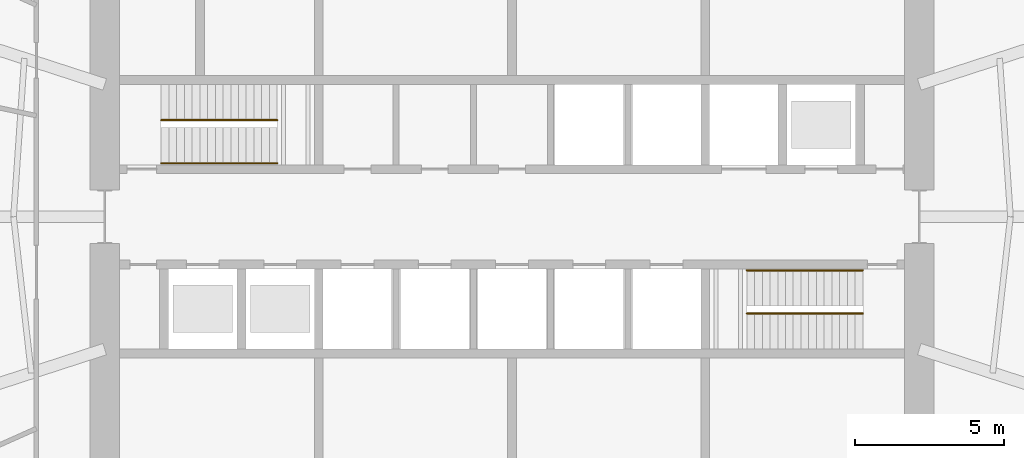
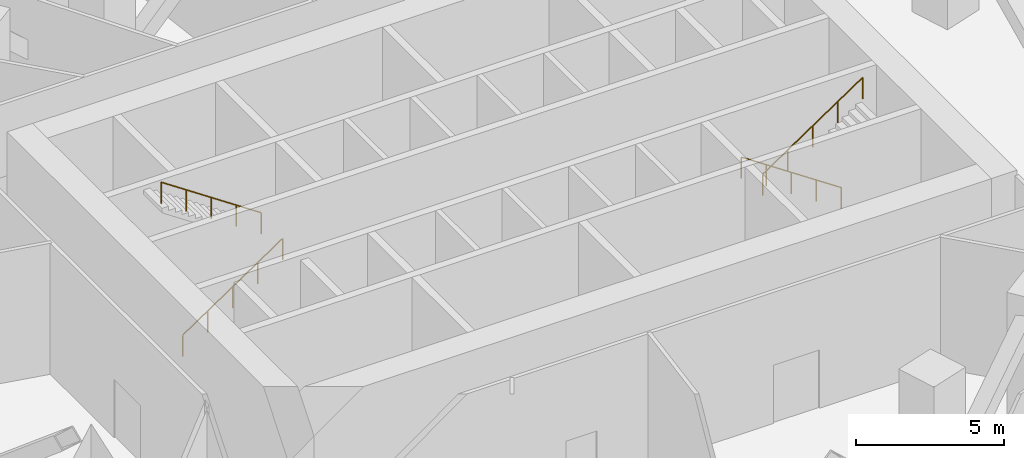
# One storey, part 13 of 14: 4 railings.
"""IFC4 building model written with IfcOpenShell, lengths in metres."""

from ifc_helpers import new_model, si_unit, direction, frame, origin, origin_2d, place, context, subcontext, project, spatial, circle, extrude, material, type_object, element, save


model = new_model("IFC4")

# Units and contexts
model_context = context("Model", 3, precision=1e-05, world=origin(), true_north=direction((0.0, 1.0)))
body_context = subcontext(model_context, "Body", "Model", "MODEL_VIEW")
ifc_project = project(units=[si_unit("LENGTHUNIT", "METRE"), si_unit("AREAUNIT", "SQUARE_METRE"), si_unit("VOLUMEUNIT", "CUBIC_METRE"), si_unit("PLANEANGLEUNIT", "RADIAN"), si_unit("MASSUNIT", "GRAM", prefix="KILO")], contexts=[model_context])

# Site, building, storey
site_placement = place(None, origin())
site = spatial("IfcSite", under=ifc_project, at=site_placement, CompositionType="ELEMENT")
building_placement = place(site_placement, origin())
building = spatial("IfcBuilding", under=site, at=building_placement, Name="Marramba Exchange Tower", CompositionType="ELEMENT")
storey_placement = place(building_placement, frame((0.0, 0.0, 166.5)))
storey = spatial("IfcBuildingStorey", under=building, at=storey_placement, Name="L40", CompositionType="ELEMENT", Elevation=166.5)

# Railings
ifc_material = material(Name="Stainless steel handrail", Category="steel")
railing_type = type_object("IfcRailingType", Name="Stair handrail 900", PredefinedType="HANDRAIL", material=ifc_material)
railing_1_placement = place(storey_placement, frame((-11.800048828125, 1.800048828125, 0.175048828125)))
element("IfcRailing", 1, at=railing_1_placement, inside=storey, type_object=railing_type, Name="Handrail HR1 ST1 L40 flight 1", PredefinedType="HANDRAIL", context=body_context, shape_type="SweptSolid", body=[
    extrude(circle(Radius=0.02392578125, at=origin_2d()), frame((0.0, 0.0, 0.8759765625), z_axis=(0.829597462249, 0.0, 0.558361935155), x_axis=(0.0, 1.0, 0.0)), (0.0, 0.0, 1.0), 4.701171875),
    extrude(circle(Radius=0.02099609375, at=origin_2d()), origin(), (0.0, 0.0, 1.0), 0.851806640625),
    extrude(circle(Radius=0.02099609375, at=origin_2d()), frame((0.97509765625, 0.0, 0.65625)), (0.0, 0.0, 1.0), 0.851806640625),
    extrude(circle(Radius=0.02099609375, at=origin_2d()), frame((1.9501953125, 0.0, 1.3125)), (0.0, 0.0, 1.0), 0.851806640625),
    extrude(circle(Radius=0.02099609375, at=origin_2d()), frame((2.925048828125, 0.0, 1.96875)), (0.0, 0.0, 1.0), 0.851806640625),
    extrude(circle(Radius=0.02099609375, at=origin_2d()), frame((3.900146484375, 0.0, 2.625)), (0.0, 0.0, 1.0), 0.851806640625),
])
for number, where, name in (
    (2, (-7.89990234375, 3.25, 2.97509765625), "Handrail HR1 ST1 L40 flight 2"),
    (3, (11.800048828125, -1.800048828125, 0.175048828125), "Handrail HR1 ST2 L40 flight 1"),
):
    element("IfcRailing", number, at=place(storey_placement, frame(where)), inside=storey, type_object=railing_type, Name=name, PredefinedType="HANDRAIL", context=body_context, shape_type="SweptSolid", body=[
        extrude(circle(Radius=0.02392578125, at=origin_2d()), frame((0.0, 0.0, 0.8759765625), z_axis=(-0.829597462249, 0.0, 0.558361935155), x_axis=(0.0, -1.0, 0.0)), (0.0, 0.0, 1.0), 4.701171875),
        extrude(circle(Radius=0.02099609375, at=origin_2d()), origin(), (0.0, 0.0, 1.0), 0.851806640625),
        extrude(circle(Radius=0.02099609375, at=origin_2d()), frame((-0.97509765625, 0.0, 0.65625)), (0.0, 0.0, 1.0), 0.851806640625),
        extrude(circle(Radius=0.02099609375, at=origin_2d()), frame((-1.9501953125, 0.0, 1.3125)), (0.0, 0.0, 1.0), 0.851806640625),
        extrude(circle(Radius=0.02099609375, at=origin_2d()), frame((-2.925048828125, 0.0, 1.96875)), (0.0, 0.0, 1.0), 0.851806640625),
        extrude(circle(Radius=0.02099609375, at=origin_2d()), frame((-3.900146484375, 0.0, 2.625)), (0.0, 0.0, 1.0), 0.851806640625),
    ])
railing_2_placement = place(storey_placement, frame((7.89990234375, -3.25, 2.97509765625)))
element("IfcRailing", 4, at=railing_2_placement, inside=storey, type_object=railing_type, Name="Handrail HR1 ST2 L40 flight 2", PredefinedType="HANDRAIL", context=body_context, shape_type="SweptSolid", body=[
    extrude(circle(Radius=0.02392578125, at=origin_2d()), frame((0.0, 0.0, 0.8759765625), z_axis=(0.829597462249, 0.0, 0.558361935155), x_axis=(0.0, 1.0, 0.0)), (0.0, 0.0, 1.0), 4.701171875),
    extrude(circle(Radius=0.02099609375, at=origin_2d()), origin(), (0.0, 0.0, 1.0), 0.851806640625),
    extrude(circle(Radius=0.02099609375, at=origin_2d()), frame((0.97509765625, 0.0, 0.65625)), (0.0, 0.0, 1.0), 0.851806640625),
    extrude(circle(Radius=0.02099609375, at=origin_2d()), frame((1.9501953125, 0.0, 1.3125)), (0.0, 0.0, 1.0), 0.851806640625),
    extrude(circle(Radius=0.02099609375, at=origin_2d()), frame((2.925048828125, 0.0, 1.96875)), (0.0, 0.0, 1.0), 0.851806640625),
    extrude(circle(Radius=0.02099609375, at=origin_2d()), frame((3.900146484375, 0.0, 2.625)), (0.0, 0.0, 1.0), 0.851806640625),
])

save(model, "model.ifc")
